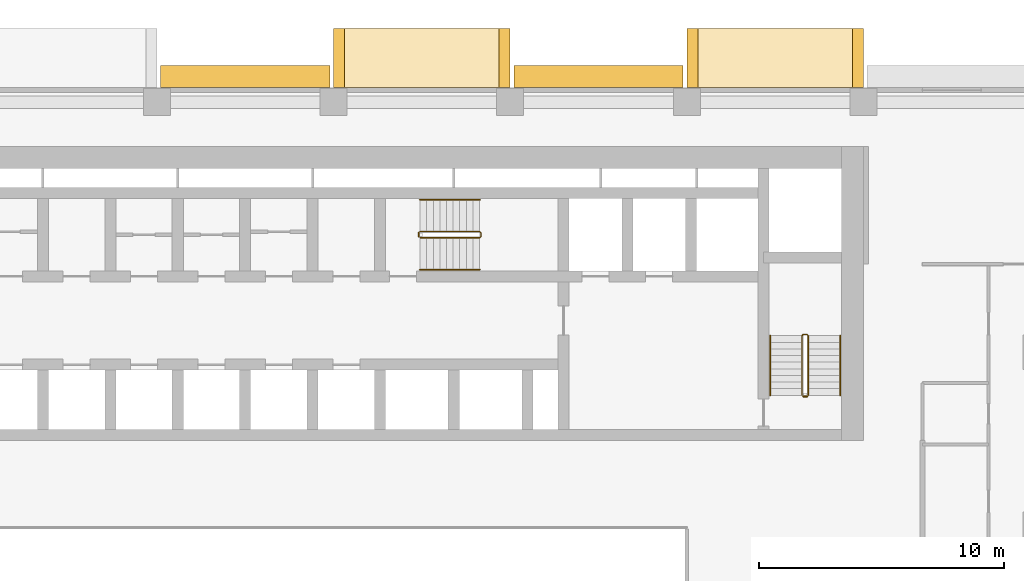
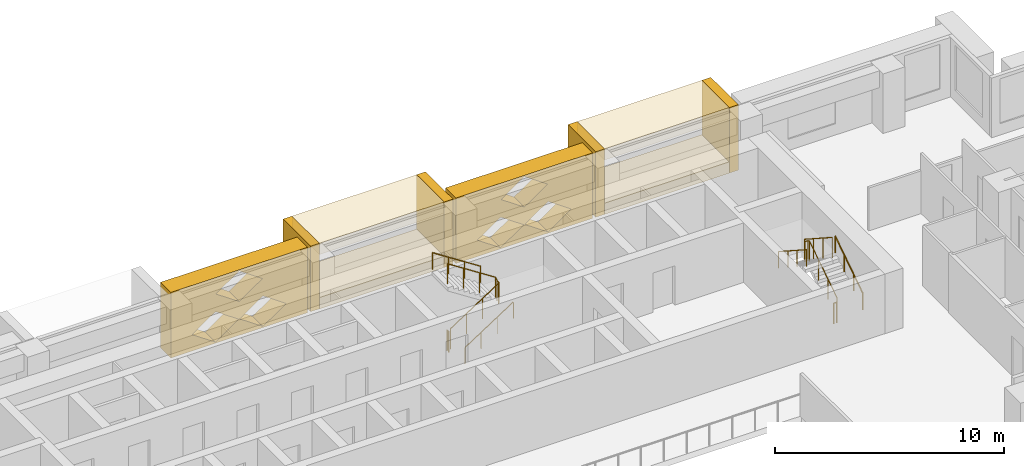
# One storey, part 16 of 17: 10 coverings, 8 railings.
"""IFC4 building model written with IfcOpenShell, lengths in metres."""

from ifc_helpers import new_model, si_unit, direction, frame, origin, origin_2d, place, context, subcontext, project, spatial, polyline, circle, outline, extrude, material, type_object, element, save


model = new_model("IFC4")

# Units and contexts
model_context = context("Model", 3, precision=1e-05, world=origin(), true_north=direction((0.0, 1.0)))
body_context = subcontext(model_context, "Body", "Model", "MODEL_VIEW")
ifc_project = project(units=[si_unit("LENGTHUNIT", "METRE"), si_unit("AREAUNIT", "SQUARE_METRE"), si_unit("VOLUMEUNIT", "CUBIC_METRE"), si_unit("PLANEANGLEUNIT", "RADIAN"), si_unit("MASSUNIT", "GRAM", prefix="KILO")], contexts=[model_context])

# Site, building, storey
site_placement = place(None, origin())
site = spatial("IfcSite", under=ifc_project, at=site_placement, CompositionType="ELEMENT")
building_placement = place(site_placement, origin())
building = spatial("IfcBuilding", under=site, at=building_placement, Name="Saffron Iwan Residences", CompositionType="ELEMENT")
storey_placement = place(building_placement, frame((0.0, 0.0, 34.0)))
storey = spatial("IfcBuildingStorey", under=building, at=storey_placement, Name="L07", CompositionType="ELEMENT", Elevation=34.0)

# Coverings
ifc_material_1 = material(Name="Precast concrete C40/50", Category="concrete")
covering_type_1 = type_object("IfcCoveringType", Name="OUTER SKIN LATTICE SCREEN", PredefinedType="CLADDING", material=ifc_material_1)
for number, where, z_axis, x_axis, name in (
    (1, (64.64990234375, 80.39990234375, -0.320068359375), (0.0, 1.0, 0.0), (-1.0, 0.0, 0.0), "OUTER SKIN lattice screen L07 F5.1"),
    (2, (50.25, 80.39990234375, -0.320068359375), (0.0, 1.0, 0.0), (-1.0, 0.0, 0.0), "OUTER SKIN lattice screen L07 F5.2"),
):
    element("IfcCovering", number, at=place(storey_placement, frame(where, z_axis=z_axis, x_axis=x_axis)), inside=storey, type_object=covering_type_1, Name=name, PredefinedType="CLADDING", context=body_context, shape_type="SweptSolid", body=[
        extrude(outline(polyline([(0.0, 0.0), (6.89990234375, 0.0), (6.89990234375, 3.5), (0.0, 3.5), (0.0, 0.0)]), holes=[polyline([(1.070068359375, 0.875), (2.25, 0.06005859375), (3.429931640625, 0.875), (2.25, 1.68994140625), (1.070068359375, 0.875)]), polyline([(3.469970703125, 0.875), (4.64990234375, 0.06005859375), (5.830078125, 0.875), (4.64990234375, 1.68994140625), (3.469970703125, 0.875)]), polyline([(2.27001953125, 2.625), (3.449951171875, 1.81005859375), (4.6298828125, 2.625), (3.449951171875, 3.43994140625), (2.27001953125, 2.625)])]), origin(), (0.0, 0.0, 1.0), 0.900146484375),
    ])

# Railings
ifc_material_2 = material(Name="Steel S355", Category="steel")
railing_type_1 = type_object("IfcRailingType", Name="Stair guard 1100", PredefinedType="GUARDRAIL", material=ifc_material_2)
railing_1_placement = place(storey_placement, frame((53.925048828125, 74.27490234375, 0.175048828125)))
element("IfcRailing", 3, at=railing_1_placement, inside=storey, type_object=railing_type_1, Name="L07 ST-C stair guard 1", PredefinedType="GUARDRAIL", context=body_context, shape_type="SweptSolid", body=[
    extrude(circle(Radius=0.02392578125, at=origin_2d()), frame((0.0, 0.0, 1.076171875), z_axis=(0.839153699163, 0.0, 0.543894354798), x_axis=(0.0, 1.0, 0.0)), (0.0, 0.0, 1.0), 2.895751953125),
    extrude(circle(Radius=0.02392578125, at=origin_2d()), frame((2.429931640625, 0.0, 2.65087890625), z_axis=(0.707106781187, 0.707106781187, 0.0), x_axis=(-0.707106781187, 0.707106781187, 0.0)), (0.0, 0.0, 1.0), 0.07080078125),
    extrude(circle(Radius=0.02392578125, at=origin_2d()), frame((2.47998046875, 0.050048828125, 2.65087890625), z_axis=(0.0, 1.0, 0.0), x_axis=(-1.0, 0.0, 0.0)), (0.0, 0.0, 1.0), 0.150146484375),
    extrude(circle(Radius=0.02392578125, at=origin_2d()), frame((2.47998046875, 0.2001953125, 2.65087890625), z_axis=(-0.265155923931, 0.263862480399, 0.927399011991), x_axis=(-0.705375805398, -0.708833529934, 0.0)), (0.0, 0.0, 1.0), 0.188720703125),
    extrude(circle(Radius=0.02392578125, at=origin_2d()), frame((2.429931640625, 0.25, 2.826171875), z_axis=(-0.839153699163, 0.0, 0.543894354798), x_axis=(0.0, -1.0, 0.0)), (0.0, 0.0, 1.0), 2.895751953125),
    extrude(circle(Radius=0.02099609375, at=origin_2d()), origin(), (0.0, 0.0, 1.0), 1.052001953125),
    extrude(circle(Radius=0.02099609375, at=origin_2d()), frame((0.81005859375, 0.0, 0.52490234375)), (0.0, 0.0, 1.0), 1.052001953125),
    extrude(circle(Radius=0.02099609375, at=origin_2d()), frame((1.619873046875, 0.0, 1.050048828125)), (0.0, 0.0, 1.0), 1.052001953125),
    extrude(circle(Radius=0.02099609375, at=origin_2d()), frame((2.429931640625, 0.0, 1.574951171875)), (0.0, 0.0, 1.0), 1.052001953125),
    extrude(circle(Radius=0.02099609375, at=origin_2d()), frame((2.47998046875, 0.050048828125, 1.574951171875)), (0.0, 0.0, 1.0), 1.052001953125),
    extrude(circle(Radius=0.02099609375, at=origin_2d()), frame((2.47998046875, 0.2001953125, 1.574951171875)), (0.0, 0.0, 1.0), 1.052001953125),
    extrude(circle(Radius=0.02099609375, at=origin_2d()), frame((2.429931640625, 0.25, 1.75)), (0.0, 0.0, 1.0), 1.052001953125),
    extrude(circle(Radius=0.02099609375, at=origin_2d()), frame((1.619873046875, 0.25, 2.27490234375)), (0.0, 0.0, 1.0), 1.052001953125),
    extrude(circle(Radius=0.02099609375, at=origin_2d()), frame((0.81005859375, 0.25, 2.800048828125)), (0.0, 0.0, 1.0), 1.052001953125),
    extrude(circle(Radius=0.02099609375, at=origin_2d()), frame((0.0, 0.25, 3.324951171875)), (0.0, 0.0, 1.0), 1.052001953125),
])
railing_2_placement = place(storey_placement, frame((53.875, 74.324951171875, 0.0)))
element("IfcRailing", 4, at=railing_2_placement, inside=storey, type_object=railing_type_1, Name="L07 ST-C stair guard 2", PredefinedType="GUARDRAIL", context=body_context, shape_type="SweptSolid", body=[
    extrude(circle(Radius=0.02392578125, at=origin_2d()), frame((0.0, 0.0, 1.076171875), z_axis=(0.0, 1.0, 0.0), x_axis=(-1.0, 0.0, 0.0)), (0.0, 0.0, 1.0), 0.150146484375),
    extrude(circle(Radius=0.02099609375, at=origin_2d()), origin(), (0.0, 0.0, 1.0), 1.052001953125),
    extrude(circle(Radius=0.02099609375, at=origin_2d()), frame((0.0, 0.150146484375, 0.0)), (0.0, 0.0, 1.0), 1.052001953125),
])
railing_3_placement = place(storey_placement, frame((69.75, 67.85009765625, 0.175048828125)))
element("IfcRailing", 5, at=railing_3_placement, inside=storey, type_object=railing_type_1, Name="L07 ST-E stair guard 1", PredefinedType="GUARDRAIL", context=body_context, shape_type="SweptSolid", body=[
    extrude(circle(Radius=0.02392578125, at=origin_2d()), frame((0.0, 0.0, 1.076171875), z_axis=(0.0, 0.839153699163, 0.543894354798), x_axis=(-1.0, 0.0, 0.0)), (0.0, 0.0, 1.0), 2.895751953125),
    extrude(circle(Radius=0.02392578125, at=origin_2d()), frame((0.0, 2.429931640625, 2.65087890625), z_axis=(-0.707106781187, 0.707106781187, 0.0), x_axis=(-0.707106781187, -0.707106781187, 0.0)), (0.0, 0.0, 1.0), 0.07080078125),
    extrude(circle(Radius=0.02392578125, at=origin_2d()), frame((-0.050048828125, 2.47998046875, 2.65087890625), z_axis=(-1.0, 0.0, 0.0), x_axis=(0.0, -1.0, 0.0)), (0.0, 0.0, 1.0), 0.14990234375),
    extrude(circle(Radius=0.02392578125, at=origin_2d()), frame((-0.199951171875, 2.47998046875, 2.65087890625), z_axis=(-0.265065253269, -0.265065253269, 0.927081885822), x_axis=(0.707106781187, -0.707106781187, 0.0)), (0.0, 0.0, 1.0), 0.188720703125),
    extrude(circle(Radius=0.02392578125, at=origin_2d()), frame((-0.25, 2.429931640625, 2.826171875), z_axis=(0.0, -0.839153699163, 0.543894354798), x_axis=(1.0, 0.0, 0.0)), (0.0, 0.0, 1.0), 2.895751953125),
    extrude(circle(Radius=0.02099609375, at=origin_2d()), origin(), (0.0, 0.0, 1.0), 1.052001953125),
    extrude(circle(Radius=0.02099609375, at=origin_2d()), frame((0.0, 0.81005859375, 0.52490234375)), (0.0, 0.0, 1.0), 1.052001953125),
    extrude(circle(Radius=0.02099609375, at=origin_2d()), frame((0.0, 1.619873046875, 1.050048828125)), (0.0, 0.0, 1.0), 1.052001953125),
    extrude(circle(Radius=0.02099609375, at=origin_2d()), frame((0.0, 2.429931640625, 1.574951171875)), (0.0, 0.0, 1.0), 1.052001953125),
    extrude(circle(Radius=0.02099609375, at=origin_2d()), frame((-0.050048828125, 2.47998046875, 1.574951171875)), (0.0, 0.0, 1.0), 1.052001953125),
    extrude(circle(Radius=0.02099609375, at=origin_2d()), frame((-0.199951171875, 2.47998046875, 1.574951171875)), (0.0, 0.0, 1.0), 1.052001953125),
    extrude(circle(Radius=0.02099609375, at=origin_2d()), frame((-0.25, 2.429931640625, 1.75)), (0.0, 0.0, 1.0), 1.052001953125),
    extrude(circle(Radius=0.02099609375, at=origin_2d()), frame((-0.25, 1.619873046875, 2.27490234375)), (0.0, 0.0, 1.0), 1.052001953125),
    extrude(circle(Radius=0.02099609375, at=origin_2d()), frame((-0.25, 0.81005859375, 2.800048828125)), (0.0, 0.0, 1.0), 1.052001953125),
    extrude(circle(Radius=0.02099609375, at=origin_2d()), frame((-0.25, 0.0, 3.324951171875)), (0.0, 0.0, 1.0), 1.052001953125),
])
railing_4_placement = place(storey_placement, frame((69.699951171875, 67.800048828125, 0.0)))
element("IfcRailing", 6, at=railing_4_placement, inside=storey, type_object=railing_type_1, Name="L07 ST-E stair guard 2", PredefinedType="GUARDRAIL", context=body_context, shape_type="SweptSolid", body=[
    extrude(circle(Radius=0.02392578125, at=origin_2d()), frame((0.0, 0.0, 1.076171875), z_axis=(-1.0, 0.0, 0.0), x_axis=(0.0, -1.0, 0.0)), (0.0, 0.0, 1.0), 0.14990234375),
    extrude(circle(Radius=0.02099609375, at=origin_2d()), origin(), (0.0, 0.0, 1.0), 1.052001953125),
    extrude(circle(Radius=0.02099609375, at=origin_2d()), frame((-0.14990234375, 0.0, 0.0)), (0.0, 0.0, 1.0), 1.052001953125),
])
ifc_material_3 = material(Name="Stainless steel 316", Category="steel")
railing_type_2 = type_object("IfcRailingType", Name="Stair handrail 900", PredefinedType="HANDRAIL", material=ifc_material_3)
railing_5_placement = place(storey_placement, frame((53.925048828125, 72.97509765625, 0.175048828125)))
element("IfcRailing", 7, at=railing_5_placement, inside=storey, type_object=railing_type_2, Name="L07 ST-C stair handrail 1", PredefinedType="HANDRAIL", context=body_context, shape_type="SweptSolid", body=[
    extrude(circle(Radius=0.02392578125, at=origin_2d()), frame((0.0, 0.0, 0.8759765625), z_axis=(0.839153699163, 0.0, 0.543894354798), x_axis=(0.0, 1.0, 0.0)), (0.0, 0.0, 1.0), 2.895751953125),
    extrude(circle(Radius=0.02099609375, at=origin_2d()), origin(), (0.0, 0.0, 1.0), 0.851806640625),
    extrude(circle(Radius=0.02099609375, at=origin_2d()), frame((0.81005859375, 0.0, 0.52490234375)), (0.0, 0.0, 1.0), 0.851806640625),
    extrude(circle(Radius=0.02099609375, at=origin_2d()), frame((1.619873046875, 0.0, 1.050048828125)), (0.0, 0.0, 1.0), 0.851806640625),
    extrude(circle(Radius=0.02099609375, at=origin_2d()), frame((2.429931640625, 0.0, 1.574951171875)), (0.0, 0.0, 1.0), 0.851806640625),
])
railing_6_placement = place(storey_placement, frame((56.35498046875, 75.824951171875, 1.925048828125)))
element("IfcRailing", 8, at=railing_6_placement, inside=storey, type_object=railing_type_2, Name="L07 ST-C stair handrail 2", PredefinedType="HANDRAIL", context=body_context, shape_type="SweptSolid", body=[
    extrude(circle(Radius=0.02392578125, at=origin_2d()), frame((0.0, 0.0, 0.8759765625), z_axis=(-0.839153699163, 0.0, 0.543894354798), x_axis=(0.0, -1.0, 0.0)), (0.0, 0.0, 1.0), 2.895751953125),
    extrude(circle(Radius=0.02099609375, at=origin_2d()), origin(), (0.0, 0.0, 1.0), 0.851806640625),
    extrude(circle(Radius=0.02099609375, at=origin_2d()), frame((-0.81005859375, 0.0, 0.52490234375)), (0.0, 0.0, 1.0), 0.851806640625),
    extrude(circle(Radius=0.02099609375, at=origin_2d()), frame((-1.619873046875, 0.0, 1.050048828125)), (0.0, 0.0, 1.0), 0.851806640625),
    extrude(circle(Radius=0.02099609375, at=origin_2d()), frame((-2.429931640625, 0.0, 1.574951171875)), (0.0, 0.0, 1.0), 0.851806640625),
])
railing_7_placement = place(storey_placement, frame((71.050048828125, 67.85009765625, 0.175048828125)))
element("IfcRailing", 9, at=railing_7_placement, inside=storey, type_object=railing_type_2, Name="L07 ST-E stair handrail 1", PredefinedType="HANDRAIL", context=body_context, shape_type="SweptSolid", body=[
    extrude(circle(Radius=0.02392578125, at=origin_2d()), frame((0.0, 0.0, 0.8759765625), z_axis=(0.0, 0.839153699163, 0.543894354798), x_axis=(-1.0, 0.0, 0.0)), (0.0, 0.0, 1.0), 2.895751953125),
    extrude(circle(Radius=0.02099609375, at=origin_2d()), origin(), (0.0, 0.0, 1.0), 0.851806640625),
    extrude(circle(Radius=0.02099609375, at=origin_2d()), frame((0.0, 0.81005859375, 0.52490234375)), (0.0, 0.0, 1.0), 0.851806640625),
    extrude(circle(Radius=0.02099609375, at=origin_2d()), frame((0.0, 1.619873046875, 1.050048828125)), (0.0, 0.0, 1.0), 0.851806640625),
    extrude(circle(Radius=0.02099609375, at=origin_2d()), frame((0.0, 2.429931640625, 1.574951171875)), (0.0, 0.0, 1.0), 0.851806640625),
])
railing_8_placement = place(storey_placement, frame((68.199951171875, 70.280029296875, 1.925048828125)))
element("IfcRailing", 10, at=railing_8_placement, inside=storey, type_object=railing_type_2, Name="L07 ST-E stair handrail 2", PredefinedType="HANDRAIL", context=body_context, shape_type="SweptSolid", body=[
    extrude(circle(Radius=0.02392578125, at=origin_2d()), frame((0.0, 0.0, 0.8759765625), z_axis=(0.0, -0.839153699163, 0.543894354798), x_axis=(1.0, 0.0, 0.0)), (0.0, 0.0, 1.0), 2.895751953125),
    extrude(circle(Radius=0.02099609375, at=origin_2d()), origin(), (0.0, 0.0, 1.0), 0.851806640625),
    extrude(circle(Radius=0.02099609375, at=origin_2d()), frame((0.0, -0.81005859375, 0.52490234375)), (0.0, 0.0, 1.0), 0.851806640625),
    extrude(circle(Radius=0.02099609375, at=origin_2d()), frame((0.0, -1.619873046875, 1.050048828125)), (0.0, 0.0, 1.0), 0.851806640625),
    extrude(circle(Radius=0.02099609375, at=origin_2d()), frame((0.0, -2.429931640625, 1.574951171875)), (0.0, 0.0, 1.0), 0.851806640625),
])

# Coverings
ifc_material_4 = material(Name="Precast concrete C40/50 white painted", Category="concrete")
covering_type_2 = type_object("IfcCoveringType", Name="WHITE SUN FRAME PRECAST", PredefinedType="CLADDING", material=ifc_material_4)
for number, where, z_axis, x_axis, name in (
    (11, (72.0, 80.39990234375, -0.320068359375), (0.0, 1.0, 0.0), (-1.0, 0.0, 0.0), "Sun frame L07 F5 10.8a"),
    (12, (65.25, 80.39990234375, -0.320068359375), (0.0, 1.0, 0.0), (-1.0, 0.0, 0.0), "Sun frame L07 F5 10.8b"),
):
    element("IfcCovering", number, at=place(storey_placement, frame(where, z_axis=z_axis, x_axis=x_axis)), inside=storey, type_object=covering_type_2, Name=name, PredefinedType="CLADDING", context=body_context, shape_type="SweptSolid", body=[
        extrude(outline(polyline([(0.0, 0.0), (0.449951171875, 0.0), (0.449951171875, 3.5), (0.0, 3.5), (0.0, 0.0)])), origin(), (0.0, 0.0, 1.0), 2.400146484375),
    ])
for number, where, z_axis, x_axis, name in (
    (13, (71.550048828125, 80.39990234375, 2.580078125), (0.0, 1.0, 0.0), (-1.0, 0.0, 0.0), "Sun frame L07 F5 10.8h"),
    (14, (71.550048828125, 80.39990234375, -0.320068359375), (0.0, 1.0, 0.0), (-1.0, 0.0, 0.0), "Sun frame L07 F5 10.8s"),
):
    element("IfcCovering", number, at=place(storey_placement, frame(where, z_axis=z_axis, x_axis=x_axis)), inside=storey, type_object=covering_type_2, Name=name, PredefinedType="CLADDING", context=body_context, shape_type="SweptSolid", body=[
        extrude(outline(polyline([(0.0, 0.0), (6.300048828125, 0.0), (6.300048828125, 0.60009765625), (0.0, 0.60009765625), (0.0, 0.0)])), origin(), (0.0, 0.0, 1.0), 2.400146484375),
    ])
for number, where, z_axis, x_axis, name in (
    (15, (57.60009765625, 80.39990234375, -0.320068359375), (0.0, 1.0, 0.0), (-1.0, 0.0, 0.0), "Sun frame L07 F5 25.2a"),
    (16, (50.85009765625, 80.39990234375, -0.320068359375), (0.0, 1.0, 0.0), (-1.0, 0.0, 0.0), "Sun frame L07 F5 25.2b"),
):
    element("IfcCovering", number, at=place(storey_placement, frame(where, z_axis=z_axis, x_axis=x_axis)), inside=storey, type_object=covering_type_2, Name=name, PredefinedType="CLADDING", context=body_context, shape_type="SweptSolid", body=[
        extrude(outline(polyline([(0.0, 0.0), (0.449951171875, 0.0), (0.449951171875, 3.5), (0.0, 3.5), (0.0, 0.0)])), origin(), (0.0, 0.0, 1.0), 2.400146484375),
    ])
for number, where, z_axis, x_axis, name in (
    (17, (57.14990234375, 80.39990234375, 2.580078125), (0.0, 1.0, 0.0), (-1.0, 0.0, 0.0), "Sun frame L07 F5 25.2h"),
    (18, (57.14990234375, 80.39990234375, -0.320068359375), (0.0, 1.0, 0.0), (-1.0, 0.0, 0.0), "Sun frame L07 F5 25.2s"),
):
    element("IfcCovering", number, at=place(storey_placement, frame(where, z_axis=z_axis, x_axis=x_axis)), inside=storey, type_object=covering_type_2, Name=name, PredefinedType="CLADDING", context=body_context, shape_type="SweptSolid", body=[
        extrude(outline(polyline([(0.0, 0.0), (6.300048828125, 0.0), (6.300048828125, 0.60009765625), (0.0, 0.60009765625), (0.0, 0.0)])), origin(), (0.0, 0.0, 1.0), 2.400146484375),
    ])

save(model, "model.ifc")
